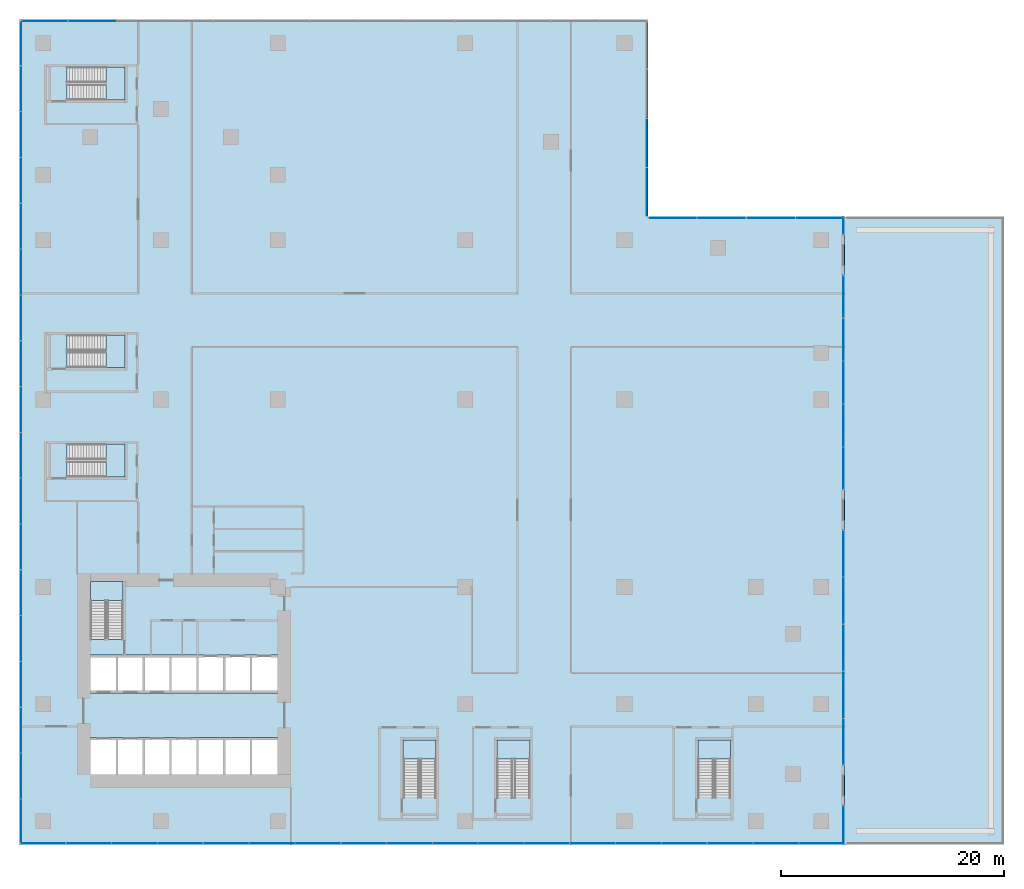
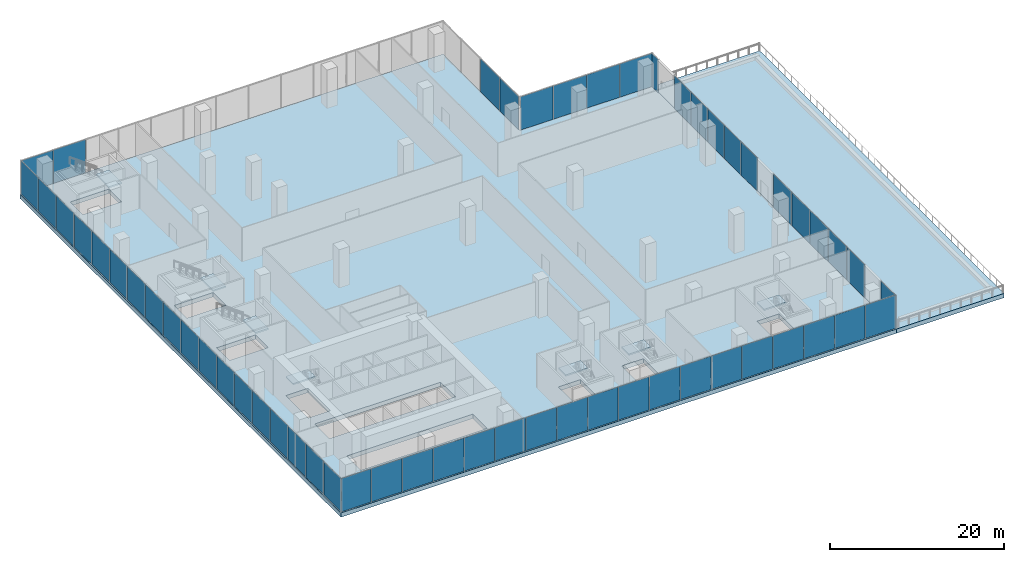
# One storey, part 12 of 23: 56 plates, 9 slabs, 16 elements without a shape of their own.
"""IFC4 building model written with IfcOpenShell, lengths in metres."""

from ifc_helpers import new_model, si_unit, direction, frame, origin, origin_2d, place, context, subcontext, project, spatial, polyline, rectangle, outline, extrude, source, transform, mapped, material, layer, layer_set, type_object, element, aggregate, save


model = new_model("IFC4")

# Units and contexts
model_context = context("Model", 3, precision=1e-05, world=origin(), true_north=direction((0.0, 1.0)))
body_context = subcontext(model_context, "Body", "Model", "MODEL_VIEW")
ifc_project = project(units=[si_unit("LENGTHUNIT", "METRE"), si_unit("AREAUNIT", "SQUARE_METRE"), si_unit("VOLUMEUNIT", "CUBIC_METRE"), si_unit("PLANEANGLEUNIT", "RADIAN"), si_unit("MASSUNIT", "GRAM", prefix="KILO")], contexts=[model_context])

# Site, building, storey
site_placement = place(None, origin())
site = spatial("IfcSite", under=ifc_project, at=site_placement, CompositionType="ELEMENT")
building_placement = place(site_placement, origin())
building = spatial("IfcBuilding", under=site, at=building_placement, Name="Aurelian Terraces", CompositionType="ELEMENT")
storey_placement = place(building_placement, frame((0.0, 0.0, 18.3)))
storey = spatial("IfcBuildingStorey", under=building, at=storey_placement, Name="L03", CompositionType="ELEMENT", Elevation=18.3)

# Slabs
ifc_material_1 = material(Name="Concrete fc' 40 MPa", Category="concrete")
ifc_layer_1 = layer(ifc_material_1, 0.6)
ifc_layer_set_1 = layer_set([ifc_layer_1], Name="PT FLAT PLATE 600")
slab_type_1 = type_object("IfcSlabType", Name="PT FLAT PLATE 600", PredefinedType="FLOOR", material=ifc_layer_set_1)
slab_1_placement = place(storey_placement, frame((0.0, 0.0, -0.6)))
element("IfcSlab", 1, at=slab_1_placement, inside=storey, type_object=slab_type_1, Name="Floor slab P L03", PredefinedType="FLOOR", context=body_context, shape_type="SweptSolid", body=[
    extrude(outline(polyline([(71.82, -2.1), (54.18, -2.1), (-2.1, -2.1), (-2.1, 54.18), (-2.1, 71.82), (54.18, 71.82), (54.18, 54.18), (71.82, 54.18), (71.82, -2.1)]), holes=[polyline([(58.66, 7.29), (58.66, 2.11), (61.59, 2.11), (61.59, 7.29), (58.66, 7.29)]), polyline([(40.66, 7.29), (40.66, 2.11), (43.59, 2.11), (43.59, 7.29), (40.66, 7.29)]), polyline([(32.26, 7.29), (32.26, 2.11), (35.19, 2.11), (35.19, 7.29), (32.26, 7.29)]), polyline([(4.21, 7.49), (4.21, 4.21), (20.99, 4.21), (20.99, 7.49), (4.21, 7.49)]), polyline([(4.21, 14.89), (4.21, 11.51), (20.99, 11.51), (20.99, 14.89), (4.21, 14.89)]), polyline([(7.29, 40.66), (7.29, 43.59), (2.11, 43.59), (2.11, 40.66), (7.29, 40.66)]), polyline([(7.29, 64.66), (7.29, 67.59), (2.11, 67.59), (2.11, 64.66), (7.29, 64.66)]), polyline([(7.29, 33.79), (2.11, 33.79), (2.11, 30.86), (7.29, 30.86), (7.29, 33.79)]), polyline([(4.21, 21.49), (4.21, 16.31), (7.14, 16.31), (7.14, 21.49), (4.21, 21.49)])]), origin(), (0.0, 0.0, 1.0), 0.6),
])
ifc_layer_2 = layer(ifc_material_1, 0.6001)
ifc_layer_set_2 = layer_set([ifc_layer_2], Name="Terrace slab 600")
slab_type_2 = type_object("IfcSlabType", Name="Terrace slab 600", PredefinedType="NOTDEFINED", material=ifc_layer_set_2)
slab_2_placement = place(storey_placement, frame((0.0, 0.0, -0.6001)))
element("IfcSlab", 2, at=slab_2_placement, inside=storey, type_object=slab_type_2, Name="Podium garden terrace L03 L03-X1", PredefinedType="NOTDEFINED", context=body_context, shape_type="SweptSolid", body=[
    extrude(outline(polyline([(86.1, -2.1), (71.82, -2.1), (71.82, 54.18), (86.1, 54.18), (86.1, -2.1)])), origin(), (0.0, 0.0, 1.0), 0.6001),
])

# Curtain wall, plates
ifc_material_2 = material(Name="Anodised aluminium and clear glazing", Category="aluminium")
ifc_layer_3 = layer(ifc_material_2, 0.2)
ifc_layer_set_3 = layer_set([ifc_layer_3], Name="Winter garden glazing curtain wall")
curtain_wall_type = type_object("IfcCurtainWallType", Name="Winter garden glazing curtain wall", PredefinedType="NOTDEFINED", material=ifc_layer_set_3)
curtain_wall_1_placement = place(storey_placement, origin())
curtain_wall_1 = element("IfcCurtainWall", 3, at=curtain_wall_1_placement, inside=storey, type_object=curtain_wall_type, Name="Winter garden glazing L03 F05.1", PredefinedType="NOTDEFINED")
ifc_material_3 = material(Name="Clear glazing", Category="glass")
ifc_layer_4 = layer(ifc_material_3, 0.028)
ifc_layer_set_4 = layer_set([ifc_layer_4], Name="Winter garden glazing glazing panel")
plate_type = type_object("IfcPlateType", Name="Winter garden glazing glazing panel", PredefinedType="CURTAIN_PANEL", material=ifc_layer_set_4)
shared_shape_1 = source(origin(), body_context, "Body", "SweptSolid", [
    extrude(rectangle(XDim=4.2692, YDim=0.028, at=origin_2d()), origin(), (0.0, 0.0, 1.0), 4.68),
])
plate_1_placement = place(storey_placement, frame((4.3938, 71.72, 0.06), z_axis=(0.0, 0.0, 1.0), x_axis=(-1.0, 0.0, 0.0)))
plate_1 = element("IfcPlate", 4, at=plate_1_placement, type_object=plate_type, Name="CW6 panel 12.1", PredefinedType="CURTAIN_PANEL", context=body_context, shape_type="MappedRepresentation", body=[
    mapped(shared_shape_1, transform((0.0, 0.0, 0.0), scale=1.0)),
])
shared_shape_2 = source(origin(), body_context, "Body", "SweptSolid", [
    extrude(rectangle(XDim=4.2392, YDim=0.028, at=origin_2d()), origin(), (0.0, 0.0, 1.0), 4.68),
])
plate_2_placement = place(storey_placement, frame((0.0796, 71.72, 0.06), z_axis=(0.0, 0.0, 1.0), x_axis=(-1.0, 0.0, 0.0)))
plate_2 = element("IfcPlate", 5, at=plate_2_placement, type_object=plate_type, Name="CW6 panel 13.1", PredefinedType="CURTAIN_PANEL", context=body_context, shape_type="MappedRepresentation", body=[
    mapped(shared_shape_2, transform((0.0, 0.0, 0.0), scale=1.0)),
])
aggregate(curtain_wall_1, [plate_1, plate_2])

curtain_wall_2_placement = place(storey_placement, origin())
curtain_wall_2 = element("IfcCurtainWall", 6, at=curtain_wall_2_placement, inside=storey, type_object=curtain_wall_type, Name="Winter garden glazing L03 F03.1", PredefinedType="NOTDEFINED")
shared_shape_3 = source(origin(), body_context, "Body", "SweptSolid", [
    extrude(rectangle(XDim=4.35, YDim=0.028, at=origin_2d()), origin(), (0.0, 0.0, 1.0), 4.68),
])
plate_3_placement = place(storey_placement, frame((65.205, 54.08, 0.06), z_axis=(0.0, 0.0, 1.0), x_axis=(-1.0, 0.0, 0.0)))
plate_3 = element("IfcPlate", 7, at=plate_3_placement, type_object=plate_type, Name="CW6 panel 2.1", PredefinedType="CURTAIN_PANEL", context=body_context, shape_type="MappedRepresentation", body=[
    mapped(shared_shape_3, transform((0.0, 0.0, 0.0), scale=1.0)),
])
plate_4_placement = place(storey_placement, frame((60.795, 54.08, 0.06), z_axis=(0.0, 0.0, 1.0), x_axis=(-1.0, 0.0, 0.0)))
plate_4 = element("IfcPlate", 8, at=plate_4_placement, type_object=plate_type, Name="CW6 panel 3.1", PredefinedType="CURTAIN_PANEL", context=body_context, shape_type="MappedRepresentation", body=[
    mapped(shared_shape_3, transform((0.0, 0.0, 0.0), scale=1.0)),
])

# Curtain wall, plate
curtain_wall_3_placement = place(storey_placement, origin())
curtain_wall_3 = element("IfcCurtainWall", 9, at=curtain_wall_3_placement, inside=storey, type_object=curtain_wall_type, Name="Winter garden glazing L03 F04.1", PredefinedType="NOTDEFINED")
plate_5_placement = place(storey_placement, frame((54.08, 60.795, 0.06), z_axis=(0.0, 0.0, 1.0), x_axis=(0.0, 1.0, 0.0)))
plate_5 = element("IfcPlate", 10, at=plate_5_placement, type_object=plate_type, Name="CW6 panel 2.1", PredefinedType="CURTAIN_PANEL", context=body_context, shape_type="MappedRepresentation", body=[
    mapped(shared_shape_3, transform((0.0, 0.0, 0.0), scale=1.0)),
])

# Plate
shared_shape_4 = source(origin(), body_context, "Body", "SweptSolid", [
    extrude(rectangle(XDim=4.32, YDim=0.028, at=origin_2d()), origin(), (0.0, 0.0, 1.0), 4.68),
])
plate_6_placement = place(storey_placement, frame((69.6, 54.08, 0.06), z_axis=(0.0, 0.0, 1.0), x_axis=(-1.0, 0.0, 0.0)))
plate_6 = element("IfcPlate", 11, at=plate_6_placement, type_object=plate_type, Name="CW6 panel 1.1", PredefinedType="CURTAIN_PANEL", context=body_context, shape_type="MappedRepresentation", body=[
    mapped(shared_shape_4, transform((0.0, 0.0, 0.0), scale=1.0)),
])

plate_7_placement = place(storey_placement, frame((56.4, 54.08, 0.06), z_axis=(0.0, 0.0, 1.0), x_axis=(-1.0, 0.0, 0.0)))
plate_7 = element("IfcPlate", 12, at=plate_7_placement, type_object=plate_type, Name="CW6 panel 4.1", PredefinedType="CURTAIN_PANEL", context=body_context, shape_type="MappedRepresentation", body=[
    mapped(shared_shape_4, transform((0.0, 0.0, 0.0), scale=1.0)),
])

aggregate(curtain_wall_2, [plate_6, plate_3, plate_4, plate_7])

plate_8_placement = place(storey_placement, frame((54.08, 56.4, 0.06), z_axis=(0.0, 0.0, 1.0), x_axis=(0.0, 1.0, 0.0)))
plate_8 = element("IfcPlate", 13, at=plate_8_placement, type_object=plate_type, Name="CW6 panel 1.1", PredefinedType="CURTAIN_PANEL", context=body_context, shape_type="MappedRepresentation", body=[
    mapped(shared_shape_4, transform((0.0, 0.0, 0.0), scale=1.0)),
])

aggregate(curtain_wall_3, [plate_8, plate_5])

# Curtain wall, plates
curtain_wall_4_placement = place(storey_placement, origin())
curtain_wall_4 = element("IfcCurtainWall", 14, at=curtain_wall_4_placement, inside=storey, type_object=curtain_wall_type, Name="Winter garden glazing L03 F02.5", PredefinedType="NOTDEFINED")
shared_shape_5 = source(origin(), body_context, "Body", "SweptSolid", [
    extrude(rectangle(XDim=3.788, YDim=0.028, at=origin_2d()), origin(), (0.0, 0.0, 1.0), 4.68),
])
plate_9_placement = place(storey_placement, frame((71.72, 35.472, 0.06), z_axis=(0.0, 0.0, 1.0), x_axis=(0.0, 1.0, 0.0)))
plate_9 = element("IfcPlate", 15, at=plate_9_placement, type_object=plate_type, Name="CW6 panel 2.1", PredefinedType="CURTAIN_PANEL", context=body_context, shape_type="MappedRepresentation", body=[
    mapped(shared_shape_5, transform((0.0, 0.0, 0.0), scale=1.0)),
])
plate_10_placement = place(storey_placement, frame((71.72, 39.32, 0.06), z_axis=(0.0, 0.0, 1.0), x_axis=(0.0, 1.0, 0.0)))
plate_10 = element("IfcPlate", 16, at=plate_10_placement, type_object=plate_type, Name="CW6 panel 3.1", PredefinedType="CURTAIN_PANEL", context=body_context, shape_type="MappedRepresentation", body=[
    mapped(shared_shape_5, transform((0.0, 0.0, 0.0), scale=1.0)),
])
plate_11_placement = place(storey_placement, frame((71.72, 43.168, 0.06), z_axis=(0.0, 0.0, 1.0), x_axis=(0.0, 1.0, 0.0)))
plate_11 = element("IfcPlate", 17, at=plate_11_placement, type_object=plate_type, Name="CW6 panel 4.1", PredefinedType="CURTAIN_PANEL", context=body_context, shape_type="MappedRepresentation", body=[
    mapped(shared_shape_5, transform((0.0, 0.0, 0.0), scale=1.0)),
])
shared_shape_6 = source(origin(), body_context, "Body", "SweptSolid", [
    extrude(rectangle(XDim=3.758, YDim=0.028, at=origin_2d()), origin(), (0.0, 0.0, 1.0), 4.68),
])
plate_12_placement = place(storey_placement, frame((71.72, 31.639, 0.06), z_axis=(0.0, 0.0, 1.0), x_axis=(0.0, 1.0, 0.0)))
plate_12 = element("IfcPlate", 18, at=plate_12_placement, type_object=plate_type, Name="CW6 panel 1.1", PredefinedType="CURTAIN_PANEL", context=body_context, shape_type="MappedRepresentation", body=[
    mapped(shared_shape_6, transform((0.0, 0.0, 0.0), scale=1.0)),
])
plate_13_placement = place(storey_placement, frame((71.72, 47.001, 0.06), z_axis=(0.0, 0.0, 1.0), x_axis=(0.0, 1.0, 0.0)))
plate_13 = element("IfcPlate", 19, at=plate_13_placement, type_object=plate_type, Name="CW6 panel 5.1", PredefinedType="CURTAIN_PANEL", context=body_context, shape_type="MappedRepresentation", body=[
    mapped(shared_shape_6, transform((0.0, 0.0, 0.0), scale=1.0)),
])
aggregate(curtain_wall_4, [plate_12, plate_9, plate_10, plate_11, plate_13])

curtain_wall_5_placement = place(storey_placement, origin())
curtain_wall_5 = element("IfcCurtainWall", 20, at=curtain_wall_5_placement, inside=storey, type_object=curtain_wall_type, Name="Winter garden glazing L03 F02.3", PredefinedType="NOTDEFINED")
shared_shape_7 = source(origin(), body_context, "Body", "SweptSolid", [
    extrude(rectangle(XDim=4.16, YDim=0.028, at=origin_2d()), origin(), (0.0, 0.0, 1.0), 4.68),
])
plate_14_placement = place(storey_placement, frame((71.72, 11.33, 0.06), z_axis=(0.0, 0.0, 1.0), x_axis=(0.0, 1.0, 0.0)))
plate_14 = element("IfcPlate", 21, at=plate_14_placement, type_object=plate_type, Name="CW6 panel 2.1", PredefinedType="CURTAIN_PANEL", context=body_context, shape_type="MappedRepresentation", body=[
    mapped(shared_shape_7, transform((0.0, 0.0, 0.0), scale=1.0)),
])
plate_15_placement = place(storey_placement, frame((71.72, 15.55, 0.06), z_axis=(0.0, 0.0, 1.0), x_axis=(0.0, 1.0, 0.0)))
plate_15 = element("IfcPlate", 22, at=plate_15_placement, type_object=plate_type, Name="CW6 panel 3.1", PredefinedType="CURTAIN_PANEL", context=body_context, shape_type="MappedRepresentation", body=[
    mapped(shared_shape_7, transform((0.0, 0.0, 0.0), scale=1.0)),
])
plate_16_placement = place(storey_placement, frame((71.72, 19.77, 0.06), z_axis=(0.0, 0.0, 1.0), x_axis=(0.0, 1.0, 0.0)))
plate_16 = element("IfcPlate", 23, at=plate_16_placement, type_object=plate_type, Name="CW6 panel 4.1", PredefinedType="CURTAIN_PANEL", context=body_context, shape_type="MappedRepresentation", body=[
    mapped(shared_shape_7, transform((0.0, 0.0, 0.0), scale=1.0)),
])
shared_shape_8 = source(origin(), body_context, "Body", "SweptSolid", [
    extrude(rectangle(XDim=4.13, YDim=0.028, at=origin_2d()), origin(), (0.0, 0.0, 1.0), 4.68),
])
plate_17_placement = place(storey_placement, frame((71.72, 7.125, 0.06), z_axis=(0.0, 0.0, 1.0), x_axis=(0.0, 1.0, 0.0)))
plate_17 = element("IfcPlate", 24, at=plate_17_placement, type_object=plate_type, Name="CW6 panel 1.1", PredefinedType="CURTAIN_PANEL", context=body_context, shape_type="MappedRepresentation", body=[
    mapped(shared_shape_8, transform((0.0, 0.0, 0.0), scale=1.0)),
])
plate_18_placement = place(storey_placement, frame((71.72, 23.975, 0.06), z_axis=(0.0, 0.0, 1.0), x_axis=(0.0, 1.0, 0.0)))
plate_18 = element("IfcPlate", 25, at=plate_18_placement, type_object=plate_type, Name="CW6 panel 5.1", PredefinedType="CURTAIN_PANEL", context=body_context, shape_type="MappedRepresentation", body=[
    mapped(shared_shape_8, transform((0.0, 0.0, 0.0), scale=1.0)),
])
aggregate(curtain_wall_5, [plate_17, plate_14, plate_15, plate_16, plate_18])

curtain_wall_6_placement = place(storey_placement, origin())
curtain_wall_6 = element("IfcCurtainWall", 26, at=curtain_wall_6_placement, inside=storey, type_object=curtain_wall_type, Name="Winter garden glazing L03 F01.1", PredefinedType="NOTDEFINED")
shared_shape_9 = source(origin(), body_context, "Body", "SweptSolid", [
    extrude(rectangle(XDim=4.0467, YDim=0.028, at=origin_2d()), origin(), (0.0, 0.0, 1.0), 4.68),
])
plate_19_placement = place(storey_placement, frame((4.06, -2.0, 0.06), z_axis=(0.0, 0.0, 1.0), x_axis=(1.0, 0.0, 0.0)))
plate_19 = element("IfcPlate", 27, at=plate_19_placement, type_object=plate_type, Name="CW6 panel 2.1", PredefinedType="CURTAIN_PANEL", context=body_context, shape_type="MappedRepresentation", body=[
    mapped(shared_shape_9, transform((0.0, 0.0, 0.0), scale=1.0)),
])
plate_20_placement = place(storey_placement, frame((8.1667, -2.0, 0.06), z_axis=(0.0, 0.0, 1.0), x_axis=(1.0, 0.0, 0.0)))
plate_20 = element("IfcPlate", 28, at=plate_20_placement, type_object=plate_type, Name="CW6 panel 3.1", PredefinedType="CURTAIN_PANEL", context=body_context, shape_type="MappedRepresentation", body=[
    mapped(shared_shape_9, transform((0.0, 0.0, 0.0), scale=1.0)),
])
plate_21_placement = place(storey_placement, frame((12.2733, -2.0, 0.06), z_axis=(0.0, 0.0, 1.0), x_axis=(1.0, 0.0, 0.0)))
plate_21 = element("IfcPlate", 29, at=plate_21_placement, type_object=plate_type, Name="CW6 panel 4.1", PredefinedType="CURTAIN_PANEL", context=body_context, shape_type="MappedRepresentation", body=[
    mapped(shared_shape_9, transform((0.0, 0.0, 0.0), scale=1.0)),
])
plate_22_placement = place(storey_placement, frame((16.38, -2.0, 0.06), z_axis=(0.0, 0.0, 1.0), x_axis=(1.0, 0.0, 0.0)))
plate_22 = element("IfcPlate", 30, at=plate_22_placement, type_object=plate_type, Name="CW6 panel 5.1", PredefinedType="CURTAIN_PANEL", context=body_context, shape_type="MappedRepresentation", body=[
    mapped(shared_shape_9, transform((0.0, 0.0, 0.0), scale=1.0)),
])
plate_23_placement = place(storey_placement, frame((20.4867, -2.0, 0.06), z_axis=(0.0, 0.0, 1.0), x_axis=(1.0, 0.0, 0.0)))
plate_23 = element("IfcPlate", 31, at=plate_23_placement, type_object=plate_type, Name="CW6 panel 6.1", PredefinedType="CURTAIN_PANEL", context=body_context, shape_type="MappedRepresentation", body=[
    mapped(shared_shape_9, transform((0.0, 0.0, 0.0), scale=1.0)),
])
plate_24_placement = place(storey_placement, frame((24.5933, -2.0, 0.06), z_axis=(0.0, 0.0, 1.0), x_axis=(1.0, 0.0, 0.0)))
plate_24 = element("IfcPlate", 32, at=plate_24_placement, type_object=plate_type, Name="CW6 panel 7.1", PredefinedType="CURTAIN_PANEL", context=body_context, shape_type="MappedRepresentation", body=[
    mapped(shared_shape_9, transform((0.0, 0.0, 0.0), scale=1.0)),
])
plate_25_placement = place(storey_placement, frame((28.7, -2.0, 0.06), z_axis=(0.0, 0.0, 1.0), x_axis=(1.0, 0.0, 0.0)))
plate_25 = element("IfcPlate", 33, at=plate_25_placement, type_object=plate_type, Name="CW6 panel 8.1", PredefinedType="CURTAIN_PANEL", context=body_context, shape_type="MappedRepresentation", body=[
    mapped(shared_shape_9, transform((0.0, 0.0, 0.0), scale=1.0)),
])
plate_26_placement = place(storey_placement, frame((32.8067, -2.0, 0.06), z_axis=(0.0, 0.0, 1.0), x_axis=(1.0, 0.0, 0.0)))
plate_26 = element("IfcPlate", 34, at=plate_26_placement, type_object=plate_type, Name="CW6 panel 9.1", PredefinedType="CURTAIN_PANEL", context=body_context, shape_type="MappedRepresentation", body=[
    mapped(shared_shape_9, transform((0.0, 0.0, 0.0), scale=1.0)),
])
plate_27_placement = place(storey_placement, frame((36.9133, -2.0, 0.06), z_axis=(0.0, 0.0, 1.0), x_axis=(1.0, 0.0, 0.0)))
plate_27 = element("IfcPlate", 35, at=plate_27_placement, type_object=plate_type, Name="CW6 panel 10.1", PredefinedType="CURTAIN_PANEL", context=body_context, shape_type="MappedRepresentation", body=[
    mapped(shared_shape_9, transform((0.0, 0.0, 0.0), scale=1.0)),
])
plate_28_placement = place(storey_placement, frame((41.02, -2.0, 0.06), z_axis=(0.0, 0.0, 1.0), x_axis=(1.0, 0.0, 0.0)))
plate_28 = element("IfcPlate", 36, at=plate_28_placement, type_object=plate_type, Name="CW6 panel 11.1", PredefinedType="CURTAIN_PANEL", context=body_context, shape_type="MappedRepresentation", body=[
    mapped(shared_shape_9, transform((0.0, 0.0, 0.0), scale=1.0)),
])
plate_29_placement = place(storey_placement, frame((45.1267, -2.0, 0.06), z_axis=(0.0, 0.0, 1.0), x_axis=(1.0, 0.0, 0.0)))
plate_29 = element("IfcPlate", 37, at=plate_29_placement, type_object=plate_type, Name="CW6 panel 12.1", PredefinedType="CURTAIN_PANEL", context=body_context, shape_type="MappedRepresentation", body=[
    mapped(shared_shape_9, transform((0.0, 0.0, 0.0), scale=1.0)),
])
plate_30_placement = place(storey_placement, frame((49.2333, -2.0, 0.06), z_axis=(0.0, 0.0, 1.0), x_axis=(1.0, 0.0, 0.0)))
plate_30 = element("IfcPlate", 38, at=plate_30_placement, type_object=plate_type, Name="CW6 panel 13.1", PredefinedType="CURTAIN_PANEL", context=body_context, shape_type="MappedRepresentation", body=[
    mapped(shared_shape_9, transform((0.0, 0.0, 0.0), scale=1.0)),
])
plate_31_placement = place(storey_placement, frame((53.34, -2.0, 0.06), z_axis=(0.0, 0.0, 1.0), x_axis=(1.0, 0.0, 0.0)))
plate_31 = element("IfcPlate", 39, at=plate_31_placement, type_object=plate_type, Name="CW6 panel 14.1", PredefinedType="CURTAIN_PANEL", context=body_context, shape_type="MappedRepresentation", body=[
    mapped(shared_shape_9, transform((0.0, 0.0, 0.0), scale=1.0)),
])
plate_32_placement = place(storey_placement, frame((57.4467, -2.0, 0.06), z_axis=(0.0, 0.0, 1.0), x_axis=(1.0, 0.0, 0.0)))
plate_32 = element("IfcPlate", 40, at=plate_32_placement, type_object=plate_type, Name="CW6 panel 15.1", PredefinedType="CURTAIN_PANEL", context=body_context, shape_type="MappedRepresentation", body=[
    mapped(shared_shape_9, transform((0.0, 0.0, 0.0), scale=1.0)),
])
plate_33_placement = place(storey_placement, frame((61.5533, -2.0, 0.06), z_axis=(0.0, 0.0, 1.0), x_axis=(1.0, 0.0, 0.0)))
plate_33 = element("IfcPlate", 41, at=plate_33_placement, type_object=plate_type, Name="CW6 panel 16.1", PredefinedType="CURTAIN_PANEL", context=body_context, shape_type="MappedRepresentation", body=[
    mapped(shared_shape_9, transform((0.0, 0.0, 0.0), scale=1.0)),
])
plate_34_placement = place(storey_placement, frame((65.66, -2.0, 0.06), z_axis=(0.0, 0.0, 1.0), x_axis=(1.0, 0.0, 0.0)))
plate_34 = element("IfcPlate", 42, at=plate_34_placement, type_object=plate_type, Name="CW6 panel 17.1", PredefinedType="CURTAIN_PANEL", context=body_context, shape_type="MappedRepresentation", body=[
    mapped(shared_shape_9, transform((0.0, 0.0, 0.0), scale=1.0)),
])

curtain_wall_7_placement = place(storey_placement, origin())
curtain_wall_7 = element("IfcCurtainWall", 43, at=curtain_wall_7_placement, inside=storey, type_object=curtain_wall_type, Name="Winter garden glazing L03 F06.1", PredefinedType="NOTDEFINED")
plate_35_placement = place(storey_placement, frame((-2.0, 65.66, 0.06), z_axis=(0.0, 0.0, 1.0), x_axis=(0.0, -1.0, 0.0)))
plate_35 = element("IfcPlate", 44, at=plate_35_placement, type_object=plate_type, Name="CW6 panel 2.1", PredefinedType="CURTAIN_PANEL", context=body_context, shape_type="MappedRepresentation", body=[
    mapped(shared_shape_9, transform((0.0, 0.0, 0.0), scale=1.0)),
])
plate_36_placement = place(storey_placement, frame((-2.0, 61.5533, 0.06), z_axis=(0.0, 0.0, 1.0), x_axis=(0.0, -1.0, 0.0)))
plate_36 = element("IfcPlate", 45, at=plate_36_placement, type_object=plate_type, Name="CW6 panel 3.1", PredefinedType="CURTAIN_PANEL", context=body_context, shape_type="MappedRepresentation", body=[
    mapped(shared_shape_9, transform((0.0, 0.0, 0.0), scale=1.0)),
])
plate_37_placement = place(storey_placement, frame((-2.0, 57.4467, 0.06), z_axis=(0.0, 0.0, 1.0), x_axis=(0.0, -1.0, 0.0)))
plate_37 = element("IfcPlate", 46, at=plate_37_placement, type_object=plate_type, Name="CW6 panel 4.1", PredefinedType="CURTAIN_PANEL", context=body_context, shape_type="MappedRepresentation", body=[
    mapped(shared_shape_9, transform((0.0, 0.0, 0.0), scale=1.0)),
])
plate_38_placement = place(storey_placement, frame((-2.0, 53.34, 0.06), z_axis=(0.0, 0.0, 1.0), x_axis=(0.0, -1.0, 0.0)))
plate_38 = element("IfcPlate", 47, at=plate_38_placement, type_object=plate_type, Name="CW6 panel 5.1", PredefinedType="CURTAIN_PANEL", context=body_context, shape_type="MappedRepresentation", body=[
    mapped(shared_shape_9, transform((0.0, 0.0, 0.0), scale=1.0)),
])
plate_39_placement = place(storey_placement, frame((-2.0, 49.2333, 0.06), z_axis=(0.0, 0.0, 1.0), x_axis=(0.0, -1.0, 0.0)))
plate_39 = element("IfcPlate", 48, at=plate_39_placement, type_object=plate_type, Name="CW6 panel 6.1", PredefinedType="CURTAIN_PANEL", context=body_context, shape_type="MappedRepresentation", body=[
    mapped(shared_shape_9, transform((0.0, 0.0, 0.0), scale=1.0)),
])
plate_40_placement = place(storey_placement, frame((-2.0, 45.1267, 0.06), z_axis=(0.0, 0.0, 1.0), x_axis=(0.0, -1.0, 0.0)))
plate_40 = element("IfcPlate", 49, at=plate_40_placement, type_object=plate_type, Name="CW6 panel 7.1", PredefinedType="CURTAIN_PANEL", context=body_context, shape_type="MappedRepresentation", body=[
    mapped(shared_shape_9, transform((0.0, 0.0, 0.0), scale=1.0)),
])
plate_41_placement = place(storey_placement, frame((-2.0, 41.02, 0.06), z_axis=(0.0, 0.0, 1.0), x_axis=(0.0, -1.0, 0.0)))
plate_41 = element("IfcPlate", 50, at=plate_41_placement, type_object=plate_type, Name="CW6 panel 8.1", PredefinedType="CURTAIN_PANEL", context=body_context, shape_type="MappedRepresentation", body=[
    mapped(shared_shape_9, transform((0.0, 0.0, 0.0), scale=1.0)),
])
plate_42_placement = place(storey_placement, frame((-2.0, 36.9133, 0.06), z_axis=(0.0, 0.0, 1.0), x_axis=(0.0, -1.0, 0.0)))
plate_42 = element("IfcPlate", 51, at=plate_42_placement, type_object=plate_type, Name="CW6 panel 9.1", PredefinedType="CURTAIN_PANEL", context=body_context, shape_type="MappedRepresentation", body=[
    mapped(shared_shape_9, transform((0.0, 0.0, 0.0), scale=1.0)),
])
plate_43_placement = place(storey_placement, frame((-2.0, 32.8067, 0.06), z_axis=(0.0, 0.0, 1.0), x_axis=(0.0, -1.0, 0.0)))
plate_43 = element("IfcPlate", 52, at=plate_43_placement, type_object=plate_type, Name="CW6 panel 10.1", PredefinedType="CURTAIN_PANEL", context=body_context, shape_type="MappedRepresentation", body=[
    mapped(shared_shape_9, transform((0.0, 0.0, 0.0), scale=1.0)),
])
plate_44_placement = place(storey_placement, frame((-2.0, 28.7, 0.06), z_axis=(0.0, 0.0, 1.0), x_axis=(0.0, -1.0, 0.0)))
plate_44 = element("IfcPlate", 53, at=plate_44_placement, type_object=plate_type, Name="CW6 panel 11.1", PredefinedType="CURTAIN_PANEL", context=body_context, shape_type="MappedRepresentation", body=[
    mapped(shared_shape_9, transform((0.0, 0.0, 0.0), scale=1.0)),
])
plate_45_placement = place(storey_placement, frame((-2.0, 24.5933, 0.06), z_axis=(0.0, 0.0, 1.0), x_axis=(0.0, -1.0, 0.0)))
plate_45 = element("IfcPlate", 54, at=plate_45_placement, type_object=plate_type, Name="CW6 panel 12.1", PredefinedType="CURTAIN_PANEL", context=body_context, shape_type="MappedRepresentation", body=[
    mapped(shared_shape_9, transform((0.0, 0.0, 0.0), scale=1.0)),
])
plate_46_placement = place(storey_placement, frame((-2.0, 20.4867, 0.06), z_axis=(0.0, 0.0, 1.0), x_axis=(0.0, -1.0, 0.0)))
plate_46 = element("IfcPlate", 55, at=plate_46_placement, type_object=plate_type, Name="CW6 panel 13.1", PredefinedType="CURTAIN_PANEL", context=body_context, shape_type="MappedRepresentation", body=[
    mapped(shared_shape_9, transform((0.0, 0.0, 0.0), scale=1.0)),
])
plate_47_placement = place(storey_placement, frame((-2.0, 16.38, 0.06), z_axis=(0.0, 0.0, 1.0), x_axis=(0.0, -1.0, 0.0)))
plate_47 = element("IfcPlate", 56, at=plate_47_placement, type_object=plate_type, Name="CW6 panel 14.1", PredefinedType="CURTAIN_PANEL", context=body_context, shape_type="MappedRepresentation", body=[
    mapped(shared_shape_9, transform((0.0, 0.0, 0.0), scale=1.0)),
])
plate_48_placement = place(storey_placement, frame((-2.0, 12.2733, 0.06), z_axis=(0.0, 0.0, 1.0), x_axis=(0.0, -1.0, 0.0)))
plate_48 = element("IfcPlate", 57, at=plate_48_placement, type_object=plate_type, Name="CW6 panel 15.1", PredefinedType="CURTAIN_PANEL", context=body_context, shape_type="MappedRepresentation", body=[
    mapped(shared_shape_9, transform((0.0, 0.0, 0.0), scale=1.0)),
])
plate_49_placement = place(storey_placement, frame((-2.0, 8.1667, 0.06), z_axis=(0.0, 0.0, 1.0), x_axis=(0.0, -1.0, 0.0)))
plate_49 = element("IfcPlate", 58, at=plate_49_placement, type_object=plate_type, Name="CW6 panel 16.1", PredefinedType="CURTAIN_PANEL", context=body_context, shape_type="MappedRepresentation", body=[
    mapped(shared_shape_9, transform((0.0, 0.0, 0.0), scale=1.0)),
])
plate_50_placement = place(storey_placement, frame((-2.0, 4.06, 0.06), z_axis=(0.0, 0.0, 1.0), x_axis=(0.0, -1.0, 0.0)))
plate_50 = element("IfcPlate", 59, at=plate_50_placement, type_object=plate_type, Name="CW6 panel 17.1", PredefinedType="CURTAIN_PANEL", context=body_context, shape_type="MappedRepresentation", body=[
    mapped(shared_shape_9, transform((0.0, 0.0, 0.0), scale=1.0)),
])

# Plate
shared_shape_10 = source(origin(), body_context, "Body", "SweptSolid", [
    extrude(rectangle(XDim=4.0167, YDim=0.028, at=origin_2d()), origin(), (0.0, 0.0, 1.0), 4.68),
])
plate_51_placement = place(storey_placement, frame((-0.0317, -2.0, 0.06), z_axis=(0.0, 0.0, 1.0), x_axis=(1.0, 0.0, 0.0)))
plate_51 = element("IfcPlate", 60, at=plate_51_placement, type_object=plate_type, Name="CW6 panel 1.1", PredefinedType="CURTAIN_PANEL", context=body_context, shape_type="MappedRepresentation", body=[
    mapped(shared_shape_10, transform((0.0, 0.0, 0.0), scale=1.0)),
])

plate_52_placement = place(storey_placement, frame((69.7517, -2.0, 0.06), z_axis=(0.0, 0.0, 1.0), x_axis=(1.0, 0.0, 0.0)))
plate_52 = element("IfcPlate", 61, at=plate_52_placement, type_object=plate_type, Name="CW6 panel 18.1", PredefinedType="CURTAIN_PANEL", context=body_context, shape_type="MappedRepresentation", body=[
    mapped(shared_shape_10, transform((0.0, 0.0, 0.0), scale=1.0)),
])

aggregate(curtain_wall_6, [plate_51, plate_19, plate_20, plate_21, plate_22, plate_23, plate_24, plate_25, plate_26, plate_27, plate_28, plate_29, plate_30, plate_31, plate_32, plate_33, plate_34, plate_52])

plate_53_placement = place(storey_placement, frame((-2.0, 69.7517, 0.06), z_axis=(0.0, 0.0, 1.0), x_axis=(0.0, -1.0, 0.0)))
plate_53 = element("IfcPlate", 62, at=plate_53_placement, type_object=plate_type, Name="CW6 panel 1.1", PredefinedType="CURTAIN_PANEL", context=body_context, shape_type="MappedRepresentation", body=[
    mapped(shared_shape_10, transform((0.0, 0.0, 0.0), scale=1.0)),
])

plate_54_placement = place(storey_placement, frame((-2.0, -0.0317, 0.06), z_axis=(0.0, 0.0, 1.0), x_axis=(0.0, -1.0, 0.0)))
plate_54 = element("IfcPlate", 63, at=plate_54_placement, type_object=plate_type, Name="CW6 panel 18.1", PredefinedType="CURTAIN_PANEL", context=body_context, shape_type="MappedRepresentation", body=[
    mapped(shared_shape_10, transform((0.0, 0.0, 0.0), scale=1.0)),
])

aggregate(curtain_wall_7, [plate_53, plate_35, plate_36, plate_37, plate_38, plate_39, plate_40, plate_41, plate_42, plate_43, plate_44, plate_45, plate_46, plate_47, plate_48, plate_49, plate_50, plate_54])

# Curtain wall, plate
curtain_wall_8_placement = place(storey_placement, origin())
curtain_wall_8 = element("IfcCurtainWall", 64, at=curtain_wall_8_placement, inside=storey, type_object=curtain_wall_type, Name="Winter garden glazing L03 F02.1", PredefinedType="NOTDEFINED")
shared_shape_11 = source(origin(), body_context, "Body", "SweptSolid", [
    extrude(rectangle(XDim=3.38, YDim=0.028, at=origin_2d()), origin(), (0.0, 0.0, 1.0), 4.68),
])
plate_55_placement = place(storey_placement, frame((71.72, -0.35, 0.06), z_axis=(0.0, 0.0, 1.0), x_axis=(0.0, 1.0, 0.0)))
plate_55 = element("IfcPlate", 65, at=plate_55_placement, type_object=plate_type, Name="CW6 panel 1.1", PredefinedType="CURTAIN_PANEL", context=body_context, shape_type="MappedRepresentation", body=[
    mapped(shared_shape_11, transform((0.0, 0.0, 0.0), scale=1.0)),
])
aggregate(curtain_wall_8, [plate_55])

curtain_wall_9_placement = place(storey_placement, origin())
curtain_wall_9 = element("IfcCurtainWall", 66, at=curtain_wall_9_placement, inside=storey, type_object=curtain_wall_type, Name="Winter garden glazing L03 F02.7", PredefinedType="NOTDEFINED")
shared_shape_12 = source(origin(), body_context, "Body", "SweptSolid", [
    extrude(rectangle(XDim=1.52, YDim=0.028, at=origin_2d()), origin(), (0.0, 0.0, 1.0), 4.68),
])
plate_56_placement = place(storey_placement, frame((71.72, 53.36, 0.06), z_axis=(0.0, 0.0, 1.0), x_axis=(0.0, 1.0, 0.0)))
plate_56 = element("IfcPlate", 67, at=plate_56_placement, type_object=plate_type, Name="CW6 panel 1.1", PredefinedType="CURTAIN_PANEL", context=body_context, shape_type="MappedRepresentation", body=[
    mapped(shared_shape_12, transform((0.0, 0.0, 0.0), scale=1.0)),
])
aggregate(curtain_wall_9, [plate_56])

# Stair, slab
stair_type = type_object("IfcStairType", Name="Stair 1400", PredefinedType="HALF_TURN_STAIR", material=ifc_material_1)
stair_1_placement = place(storey_placement, origin())
stair_1 = element("IfcStair", 68, at=stair_1_placement, inside=storey, type_object=stair_type, Name="L03 S1", PredefinedType="HALF_TURN_STAIR")
ifc_layer_5 = layer(ifc_material_1, 0.2)
ifc_layer_set_5 = layer_set([ifc_layer_5], Name="Stair landing 200")
slab_type_3 = type_object("IfcSlabType", Name="Stair landing 200", PredefinedType="LANDING", material=ifc_layer_set_5)
shared_shape_13 = source(origin(), body_context, "Body", "SweptSolid", [
    extrude(outline(polyline([(7.15, 19.8), (7.15, 21.5), (4.2, 21.5), (4.2, 19.8), (7.15, 19.8)])), origin(), (0.0, 0.0, 1.0), 0.2),
])
slab_3_placement = place(storey_placement, frame((0.0, 0.0, 2.5)))
slab_3 = element("IfcSlab", 69, at=slab_3_placement, type_object=slab_type_3, Name="S1 landing 1", PredefinedType="LANDING", context=body_context, shape_type="MappedRepresentation", body=[
    mapped(shared_shape_13, transform((0.0, 0.0, 0.0), scale=1.0)),
])
aggregate(stair_1, [slab_3])

stair_2_placement = place(storey_placement, origin())
stair_2 = element("IfcStair", 70, at=stair_2_placement, inside=storey, type_object=stair_type, Name="L03 S2", PredefinedType="HALF_TURN_STAIR")
shared_shape_14 = source(origin(), body_context, "Body", "SweptSolid", [
    extrude(outline(polyline([(43.6, 5.6), (43.6, 7.3), (40.65, 7.3), (40.65, 5.6), (43.6, 5.6)])), origin(), (0.0, 0.0, 1.0), 0.2),
])
slab_4_placement = place(storey_placement, frame((0.0, 0.0, 2.5)))
slab_4 = element("IfcSlab", 71, at=slab_4_placement, type_object=slab_type_3, Name="S2 landing 1", PredefinedType="LANDING", context=body_context, shape_type="MappedRepresentation", body=[
    mapped(shared_shape_14, transform((0.0, 0.0, 0.0), scale=1.0)),
])
aggregate(stair_2, [slab_4])

stair_3_placement = place(storey_placement, origin())
stair_3 = element("IfcStair", 72, at=stair_3_placement, inside=storey, type_object=stair_type, Name="L03 S3", PredefinedType="HALF_TURN_STAIR")
shared_shape_15 = source(origin(), body_context, "Body", "SweptSolid", [
    extrude(outline(polyline([(5.6, 40.65), (7.3, 40.65), (7.3, 43.6), (5.6, 43.6), (5.6, 40.65)])), origin(), (0.0, 0.0, 1.0), 0.2),
])
slab_5_placement = place(storey_placement, frame((0.0, 0.0, 2.5)))
slab_5 = element("IfcSlab", 73, at=slab_5_placement, type_object=slab_type_3, Name="S3 landing 1", PredefinedType="LANDING", context=body_context, shape_type="MappedRepresentation", body=[
    mapped(shared_shape_15, transform((0.0, 0.0, 0.0), scale=1.0)),
])
aggregate(stair_3, [slab_5])

stair_4_placement = place(storey_placement, origin())
stair_4 = element("IfcStair", 74, at=stair_4_placement, inside=storey, type_object=stair_type, Name="L03 S4", PredefinedType="HALF_TURN_STAIR")
shared_shape_16 = source(origin(), body_context, "Body", "SweptSolid", [
    extrude(outline(polyline([(5.6, 30.85), (7.3, 30.85), (7.3, 33.8), (5.6, 33.8), (5.6, 30.85)])), origin(), (0.0, 0.0, 1.0), 0.2),
])
slab_6_placement = place(storey_placement, frame((0.0, 0.0, 2.5)))
slab_6 = element("IfcSlab", 75, at=slab_6_placement, type_object=slab_type_3, Name="S4 landing 1", PredefinedType="LANDING", context=body_context, shape_type="MappedRepresentation", body=[
    mapped(shared_shape_16, transform((0.0, 0.0, 0.0), scale=1.0)),
])
aggregate(stair_4, [slab_6])

stair_5_placement = place(storey_placement, origin())
stair_5 = element("IfcStair", 76, at=stair_5_placement, inside=storey, type_object=stair_type, Name="L03 S5", PredefinedType="HALF_TURN_STAIR")
shared_shape_17 = source(origin(), body_context, "Body", "SweptSolid", [
    extrude(outline(polyline([(5.6, 64.65), (7.3, 64.65), (7.3, 67.6), (5.6, 67.6), (5.6, 64.65)])), origin(), (0.0, 0.0, 1.0), 0.2),
])
slab_7_placement = place(storey_placement, frame((0.0, 0.0, 2.5)))
slab_7 = element("IfcSlab", 77, at=slab_7_placement, type_object=slab_type_3, Name="S5 landing 1", PredefinedType="LANDING", context=body_context, shape_type="MappedRepresentation", body=[
    mapped(shared_shape_17, transform((0.0, 0.0, 0.0), scale=1.0)),
])
aggregate(stair_5, [slab_7])

stair_6_placement = place(storey_placement, origin())
stair_6 = element("IfcStair", 78, at=stair_6_placement, inside=storey, type_object=stair_type, Name="L03 S6", PredefinedType="HALF_TURN_STAIR")
shared_shape_18 = source(origin(), body_context, "Body", "SweptSolid", [
    extrude(outline(polyline([(61.6, 5.6), (61.6, 7.3), (58.65, 7.3), (58.65, 5.6), (61.6, 5.6)])), origin(), (0.0, 0.0, 1.0), 0.2),
])
slab_8_placement = place(storey_placement, frame((0.0, 0.0, 2.5)))
slab_8 = element("IfcSlab", 79, at=slab_8_placement, type_object=slab_type_3, Name="S6 landing 1", PredefinedType="LANDING", context=body_context, shape_type="MappedRepresentation", body=[
    mapped(shared_shape_18, transform((0.0, 0.0, 0.0), scale=1.0)),
])
aggregate(stair_6, [slab_8])

stair_7_placement = place(storey_placement, origin())
stair_7 = element("IfcStair", 80, at=stair_7_placement, inside=storey, type_object=stair_type, Name="L03 S7", PredefinedType="HALF_TURN_STAIR")
shared_shape_19 = source(origin(), body_context, "Body", "SweptSolid", [
    extrude(outline(polyline([(35.2, 5.6), (35.2, 7.3), (32.25, 7.3), (32.25, 5.6), (35.2, 5.6)])), origin(), (0.0, 0.0, 1.0), 0.2),
])
slab_9_placement = place(storey_placement, frame((0.0, 0.0, 2.5)))
slab_9 = element("IfcSlab", 81, at=slab_9_placement, type_object=slab_type_3, Name="S7 landing 1", PredefinedType="LANDING", context=body_context, shape_type="MappedRepresentation", body=[
    mapped(shared_shape_19, transform((0.0, 0.0, 0.0), scale=1.0)),
])
aggregate(stair_7, [slab_9])

save(model, "model.ifc")
